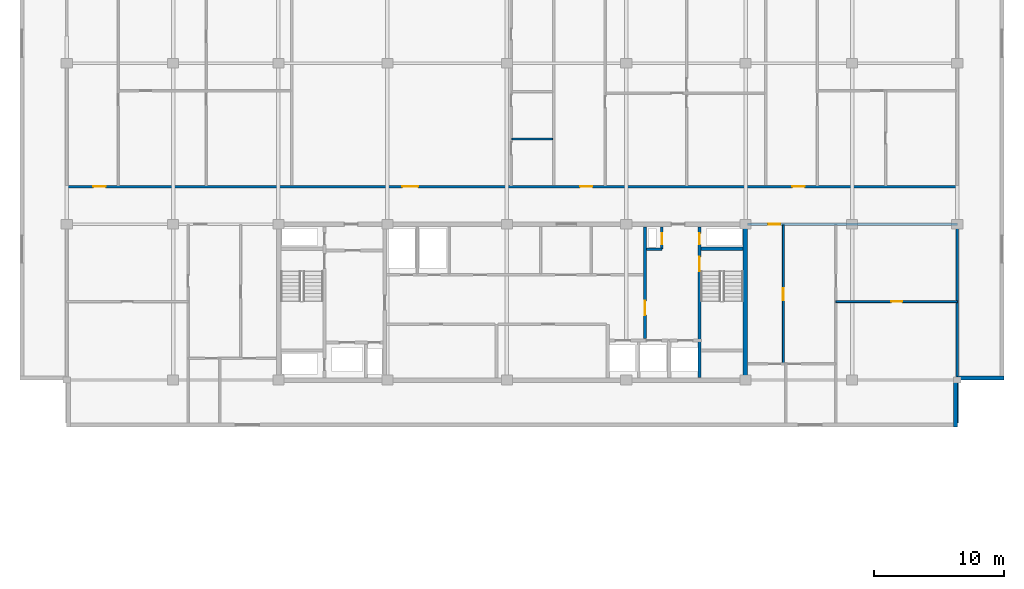
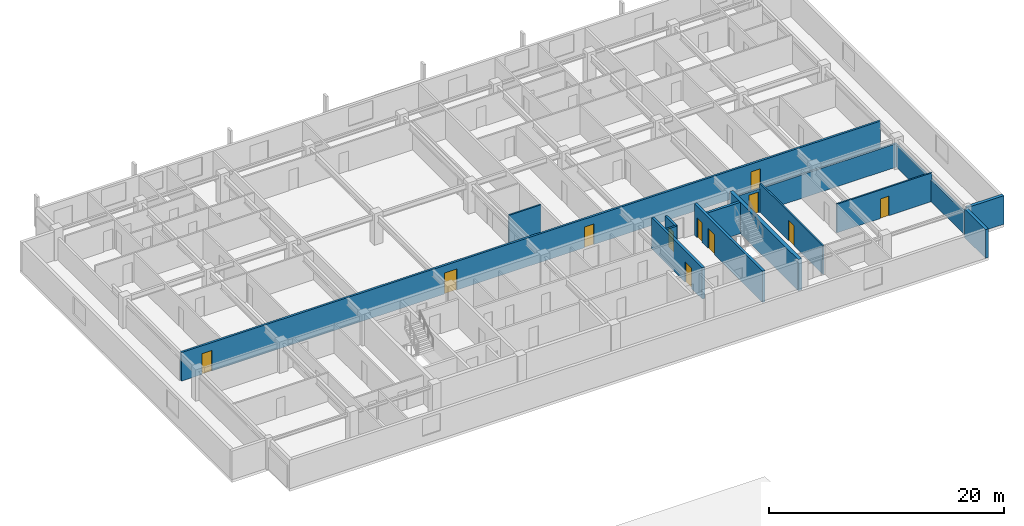
# One storey, part 5 of 11: 14 walls, 11 doors, 11 openings.
"""IFC4 building model written with IfcOpenShell, lengths in metres."""

from ifc_helpers import new_model, si_unit, direction, frame, frame_2d, origin, place, context, subcontext, project, spatial, rectangle, extrude, material, layer, layer_set, type_object, element, fill, save


model = new_model("IFC4")

# Units and contexts
model_context = context("Model", 3, precision=1e-05, world=origin(), true_north=direction((0.0, 1.0)))
body_context = subcontext(model_context, "Body", "Model", "MODEL_VIEW")
ifc_project = project(units=[si_unit("LENGTHUNIT", "METRE"), si_unit("AREAUNIT", "SQUARE_METRE"), si_unit("VOLUMEUNIT", "CUBIC_METRE"), si_unit("PLANEANGLEUNIT", "RADIAN"), si_unit("MASSUNIT", "GRAM", prefix="KILO")], contexts=[model_context])

# Site, building, storey
site_placement = place(None, origin())
site = spatial("IfcSite", under=ifc_project, at=site_placement, CompositionType="ELEMENT")
building_placement = place(site_placement, origin())
building = spatial("IfcBuilding", under=site, at=building_placement, Name="Korimba Cascade Residences", CompositionType="ELEMENT")
storey_placement = place(building_placement, frame((0.0, 0.0, 217.35009765625)))
storey = spatial("IfcBuildingStorey", under=building, at=storey_placement, Name="L63", CompositionType="ELEMENT", Elevation=217.35009765625)

# Walls
ifc_material_1 = material(Name="Precast concrete C40/50", Category="concrete")
ifc_layer_1 = layer(ifc_material_1, 0.300048828125)
ifc_layer_set_1 = layer_set([ifc_layer_1], Name="Precast concrete C40/50")
wall_type_1 = type_object("IfcWallType", Name="EW-STONE-300", PredefinedType="STANDARD", material=ifc_layer_set_1)
wall_1_placement = place(storey_placement, frame((128.25, 51.60009765625, 0.0), z_axis=(0.0, 0.0, 1.0), x_axis=(0.0, 1.0, 0.0)))
element("IfcWall", 1, at=wall_1_placement, inside=storey, type_object=wall_type_1, Name="L63 T1 Perimeter Stone Wall E01", PredefinedType="STANDARD", context=body_context, shape_type="SweptSolid", body=[
    extrude(rectangle(XDim=3.599853515625, YDim=0.300048828125, at=frame_2d((1.7998046875, 0.0))), origin(), (0.0, 0.0, 1.0), 2.969970703125),
])
wall_2_placement = place(storey_placement, frame((128.39990234375, 55.35009765625, 0.0), z_axis=(0.0, 0.0, 1.0), x_axis=(1.0, 0.0, 0.0)))
element("IfcWall", 2, at=wall_2_placement, inside=storey, type_object=wall_type_1, Name="L63 T1 Perimeter Stone Wall E02", PredefinedType="STANDARD", context=body_context, shape_type="SweptSolid", body=[
    extrude(rectangle(XDim=3.60009765625, YDim=0.300048828125, at=frame_2d((1.800048828125, 0.0))), origin(), (0.0, 0.0, 1.0), 2.969970703125),
])
ifc_material_2 = material(Name="Concrete C65/80", Category="concrete")
ifc_layer_2 = layer(ifc_material_2, 0.35009765625)
ifc_layer_set_2 = layer_set([ifc_layer_2], Name="Concrete C65/80")
wall_type_2 = type_object("IfcWallType", Name="WAL-CORE-350", PredefinedType="SHEAR", material=ifc_layer_set_2)
wall_3_placement = place(storey_placement, frame((112.074951171875, 55.375, 0.0), z_axis=(0.0, 0.0, 1.0), x_axis=(0.0, 1.0, 0.0)))
element("IfcWall", 3, at=wall_3_placement, inside=storey, type_object=wall_type_2, Name="L63 Core Shear Wall CW-L63-T1-E", PredefinedType="SHEAR", context=body_context, shape_type="SweptSolid", body=[
    extrude(rectangle(XDim=11.64990234375, YDim=0.35009765625, at=frame_2d((5.824951171875, 0.0))), origin(), (0.0, 0.0, 1.0), 3.25),
])
ifc_layer_3 = layer(ifc_material_1, 0.199951171875)
ifc_layer_set_3 = layer_set([ifc_layer_3], Name="Precast concrete C40/50")
wall_type_3 = type_object("IfcWallType", Name="WAL-IT-200", PredefinedType="PARTITIONING", material=ifc_layer_set_3)
wall_4_placement = place(storey_placement, frame((128.39990234375, 51.89990234375, 0.0), z_axis=(0.0, 0.0, 1.0), x_axis=(0.0, 1.0, 0.0)))
element("IfcWall", 4, at=wall_4_placement, inside=storey, type_object=wall_type_3, Name="L63 Partition Wall WAL-L63-T1-FE-WR", PredefinedType="PARTITIONING", context=body_context, shape_type="SweptSolid", body=[
    extrude(rectangle(XDim=15.300048828125, YDim=0.199951171875, at=frame_2d((7.64990234375, 0.0))), origin(), (0.0, 0.0, 1.0), 2.277099609375),
])

# Wall, opening, door
wall_5_placement = place(storey_placement, frame((112.25, 67.199951171875, 0.0), z_axis=(0.0, 0.0, 1.0), x_axis=(1.0, 0.0, 0.0)))
wall_5 = element("IfcWall", 5, at=wall_5_placement, inside=storey, type_object=wall_type_3, Name="L63 Partition Wall WAL-L63-T1-FE-N", PredefinedType="PARTITIONING", context=body_context, shape_type="SweptSolid", body=[
    extrude(rectangle(XDim=16.14990234375, YDim=0.199951171875, at=frame_2d((8.074951171875, 0.0))), origin(), (0.0, 0.0, 1.0), 2.43310546875),
])
opening_1_placement = place(wall_5_placement, frame((1.580078125, 0.0, 0.0)))
opening_1 = element("IfcOpeningElement", 6, at=opening_1_placement, cuts=wall_5, Name="Opening D-UN1", PredefinedType="OPENING", context=body_context, shape_type="SweptSolid", body=[
    extrude(rectangle(XDim=0.949951171875, YDim=2.14990234375, at=frame_2d((0.47509765625, 1.074951171875))), frame((0.0, 0.10986328125, 0.0), z_axis=(0.0, -1.0, 0.0), x_axis=(1.0, 0.0, 0.0)), (0.0, 0.0, 1.0), 0.219970703125),
])
ifc_material_3 = material(Name="Fire-Rated Hardwood Apartment Entrance Door", Category="wood")
door_type_1 = type_object("IfcDoorType", Name="DR-FD60-950", OperationType="NOTDEFINED", PredefinedType="DOOR", material=ifc_material_3)
door_1_placement = place(opening_1_placement, origin())
door_1 = element("IfcDoor", 7, at=door_1_placement, inside=storey, type_object=door_type_1, Name="L63-T1-FE Entrance Door", OperationType="SINGLE_SWING_LEFT", OverallHeight=2.14990234375, OverallWidth=0.949951171875, PredefinedType="DOOR", context=body_context, shape_type="SweptSolid", body=[
    extrude(rectangle(XDim=0.949951171875, YDim=2.14990234375, at=frame_2d((0.47509765625, 1.074951171875))), frame((0.0, 0.02490234375, 0.0), z_axis=(0.0, -1.0, 0.0), x_axis=(1.0, 0.0, 0.0)), (0.0, 0.0, 1.0), 0.050048828125),
])
fill(opening_1, door_1)

# Wall, openings, doors
wall_6_placement = place(storey_placement, frame((59.800048828125, 70.10009765625, 0.0), z_axis=(0.0, 0.0, 1.0), x_axis=(1.0, 0.0, 0.0)))
wall_6 = element("IfcWall", 8, at=wall_6_placement, inside=storey, type_object=wall_type_3, Name="L63 Partition Wall WAL-L63-T1-CORN", PredefinedType="PARTITIONING", context=body_context, shape_type="SweptSolid", body=[
    extrude(rectangle(XDim=68.599853515625, YDim=0.199951171875, at=frame_2d((34.2998046875, 0.0))), origin(), (0.0, 0.0, 1.0), 2.969970703125),
])
opening_2_placement = place(wall_6_placement, frame((2.044921875, 0.0, 0.0)))
opening_2 = element("IfcOpeningElement", 9, at=opening_2_placement, cuts=wall_6, Name="Opening D-UN1", PredefinedType="OPENING", context=body_context, shape_type="SweptSolid", body=[
    extrude(rectangle(XDim=0.949951171875, YDim=2.14990234375, at=frame_2d((0.47509765625, 1.074951171875))), frame((0.0, 0.10986328125, 0.0), z_axis=(0.0, -1.0, 0.0), x_axis=(1.0, 0.0, 0.0)), (0.0, 0.0, 1.0), 0.219970703125),
])
opening_3_placement = place(wall_6_placement, frame((25.85009765625, 0.0, 0.0)))
opening_3 = element("IfcOpeningElement", 10, at=opening_3_placement, cuts=wall_6, Name="Opening D-AM1", PredefinedType="OPENING", context=body_context, shape_type="SweptSolid", body=[
    extrude(rectangle(XDim=1.219970703125, YDim=2.179931640625, at=frame_2d((0.60986328125, 1.08984375))), frame((0.0, 0.10986328125, 0.0), z_axis=(0.0, -1.0, 0.0), x_axis=(1.0, 0.0, 0.0)), (0.0, 0.0, 1.0), 0.219970703125),
])
opening_4_placement = place(wall_6_placement, frame((39.5498046875, 0.0, 0.0)))
opening_4 = element("IfcOpeningElement", 11, at=opening_4_placement, cuts=wall_6, Name="Opening D-UN1", PredefinedType="OPENING", context=body_context, shape_type="SweptSolid", body=[
    extrude(rectangle(XDim=0.949951171875, YDim=2.14990234375, at=frame_2d((0.47509765625, 1.074951171875))), frame((0.0, 0.10986328125, 0.0), z_axis=(0.0, -1.0, 0.0), x_axis=(1.0, 0.0, 0.0)), (0.0, 0.0, 1.0), 0.219970703125),
])
opening_5_placement = place(wall_6_placement, frame((55.901123046875, 0.0, 0.0)))
opening_5 = element("IfcOpeningElement", 12, at=opening_5_placement, cuts=wall_6, Name="Opening D-UN1", PredefinedType="OPENING", context=body_context, shape_type="SweptSolid", body=[
    extrude(rectangle(XDim=0.949951171875, YDim=2.14990234375, at=frame_2d((0.47509765625, 1.074951171875))), frame((0.0, 0.10986328125, 0.0), z_axis=(0.0, -1.0, 0.0), x_axis=(1.0, 0.0, 0.0)), (0.0, 0.0, 1.0), 0.219970703125),
])
ifc_material_4 = material(Name="Fire-Rated Glazed Timber Suite Door", Category="wood")
door_type_2 = type_object("IfcDoorType", Name="DR-FD60-1200", OperationType="NOTDEFINED", PredefinedType="DOOR", material=ifc_material_4)
door_2_placement = place(opening_3_placement, origin())
door_2 = element("IfcDoor", 13, at=door_2_placement, inside=storey, type_object=door_type_2, Name="L63-T1-U02 Business Collaboration Office Door", OperationType="SINGLE_SWING_LEFT", OverallHeight=2.179931640625, OverallWidth=1.219970703125, PredefinedType="DOOR", context=body_context, shape_type="SweptSolid", body=[
    extrude(rectangle(XDim=1.219970703125, YDim=2.179931640625, at=frame_2d((0.60986328125, 1.08984375))), frame((0.0, 0.02490234375, 0.0), z_axis=(0.0, -1.0, 0.0), x_axis=(1.0, 0.0, 0.0)), (0.0, 0.0, 1.0), 0.050048828125),
])
fill(opening_3, door_2)
door_3_placement = place(opening_2_placement, origin())
door_3 = element("IfcDoor", 14, at=door_3_placement, inside=storey, type_object=door_type_1, Name="Unit L63-T1-U01 Entrance Door", OperationType="SINGLE_SWING_RIGHT", OverallHeight=2.14990234375, OverallWidth=0.949951171875, PredefinedType="DOOR", context=body_context, shape_type="SweptSolid", body=[
    extrude(rectangle(XDim=0.949951171875, YDim=2.14990234375, at=frame_2d((0.47509765625, 1.074951171875))), frame((0.0, 0.02490234375, 0.0), z_axis=(0.0, -1.0, 0.0), x_axis=(1.0, 0.0, 0.0)), (0.0, 0.0, 1.0), 0.050048828125),
])
fill(opening_2, door_3)
door_4_placement = place(opening_4_placement, origin())
door_4 = element("IfcDoor", 15, at=door_4_placement, inside=storey, type_object=door_type_1, Name="Unit L63-T1-U03 Entrance Door", OperationType="SINGLE_SWING_RIGHT", OverallHeight=2.14990234375, OverallWidth=0.949951171875, PredefinedType="DOOR", context=body_context, shape_type="SweptSolid", body=[
    extrude(rectangle(XDim=0.949951171875, YDim=2.14990234375, at=frame_2d((0.47509765625, 1.074951171875))), frame((0.0, 0.02490234375, 0.0), z_axis=(0.0, -1.0, 0.0), x_axis=(1.0, 0.0, 0.0)), (0.0, 0.0, 1.0), 0.050048828125),
])
fill(opening_4, door_4)
door_5_placement = place(opening_5_placement, origin())
door_5 = element("IfcDoor", 16, at=door_5_placement, inside=storey, type_object=door_type_1, Name="Unit L63-T1-U04 Entrance Door", OperationType="SINGLE_SWING_LEFT", OverallHeight=2.14990234375, OverallWidth=0.949951171875, PredefinedType="DOOR", context=body_context, shape_type="SweptSolid", body=[
    extrude(rectangle(XDim=0.949951171875, YDim=2.14990234375, at=frame_2d((0.47509765625, 1.074951171875))), frame((0.0, 0.02490234375, 0.0), z_axis=(0.0, -1.0, 0.0), x_axis=(1.0, 0.0, 0.0)), (0.0, 0.0, 1.0), 0.050048828125),
])
fill(opening_5, door_5)

# Wall, opening, door
ifc_material_5 = material(Name="Insulated Acoustic Stud Partition", Category="gypsum")
ifc_layer_4 = layer(ifc_material_5, 0.14990234375)
ifc_layer_set_4 = layer_set([ifc_layer_4], Name="Insulated Acoustic Stud Partition")
wall_type_4 = type_object("IfcWallType", Name="WAL-PART-150", PredefinedType="PARTITIONING", material=ifc_layer_set_4)
wall_7_placement = place(storey_placement, frame((119.050048828125, 61.25, 0.0), z_axis=(0.0, 0.0, 1.0), x_axis=(1.0, 0.0, 0.0)))
wall_7 = element("IfcWall", 17, at=wall_7_placement, inside=storey, type_object=wall_type_4, Name="L63 Partition Wall WAL-L63-T1-FE-STH", PredefinedType="PARTITIONING", context=body_context, shape_type="SweptSolid", body=[
    extrude(rectangle(XDim=9.349853515625, YDim=0.14990234375, at=frame_2d((4.6748046875, 0.0))), origin(), (0.0, 0.0, 1.0), 2.969970703125),
])
opening_6_placement = place(wall_7_placement, frame((4.2548828125, 0.0, 0.0)))
opening_6 = element("IfcOpeningElement", 18, at=opening_6_placement, cuts=wall_7, Name="Opening D-BT1", PredefinedType="OPENING", context=body_context, shape_type="SweptSolid", body=[
    extrude(rectangle(XDim=0.840087890625, YDim=2.0400390625, at=frame_2d((0.419921875, 1.02001953125))), frame((0.0, 0.0849609375, 0.0), z_axis=(0.0, -1.0, 0.0), x_axis=(1.0, 0.0, 0.0)), (0.0, 0.0, 1.0), 0.169921875),
])
ifc_material_6 = material(Name="Moisture-Resistant Bathroom Timber Door", Category="wood")
door_type_3 = type_object("IfcDoorType", Name="DR-INT-850", OperationType="NOTDEFINED", PredefinedType="DOOR", material=ifc_material_6)
door_6_placement = place(opening_6_placement, origin())
door_6 = element("IfcDoor", 19, at=door_6_placement, inside=storey, type_object=door_type_3, Name="L63-T1-FE Dressing Store Door", OperationType="SINGLE_SWING_RIGHT", OverallHeight=2.0400390625, OverallWidth=0.840087890625, PredefinedType="DOOR", context=body_context, shape_type="SweptSolid", body=[
    extrude(rectangle(XDim=0.840087890625, YDim=2.0400390625, at=frame_2d((0.419921875, 1.02001953125))), frame((0.0, 0.02490234375, 0.0), z_axis=(0.0, -1.0, 0.0), x_axis=(1.0, 0.0, 0.0)), (0.0, 0.0, 1.0), 0.050048828125),
])
fill(opening_6, door_6)

wall_8_placement = place(storey_placement, frame((115.0, 56.449951171875, 0.0), z_axis=(0.0, 0.0, 1.0), x_axis=(0.0, 1.0, 0.0)))
wall_8 = element("IfcWall", 20, at=wall_8_placement, inside=storey, type_object=wall_type_4, Name="L63 Partition Wall WAL-L63-T1-FE-VN", PredefinedType="PARTITIONING", context=body_context, shape_type="SweptSolid", body=[
    extrude(rectangle(XDim=10.699951171875, YDim=0.14990234375, at=frame_2d((5.35009765625, 0.0))), origin(), (0.0, 0.0, 1.0), 2.969970703125),
])
opening_7_placement = place(wall_8_placement, frame((4.889892578125, 0.0, 0.0)))
opening_7 = element("IfcOpeningElement", 21, at=opening_7_placement, cuts=wall_8, Name="Opening D-IN1", PredefinedType="OPENING", context=body_context, shape_type="SweptSolid", body=[
    extrude(rectangle(XDim=0.919921875, YDim=2.080078125, at=frame_2d((0.4599609375, 1.0400390625))), frame((0.0, 0.0849609375, 0.0), z_axis=(0.0, -1.0, 0.0), x_axis=(1.0, 0.0, 0.0)), (0.0, 0.0, 1.0), 0.169921875),
])
ifc_material_7 = material(Name="Acoustic Timber Living Door", Category="wood")
door_type_4 = type_object("IfcDoorType", Name="DR-INT-920", OperationType="NOTDEFINED", PredefinedType="DOOR", material=ifc_material_7)
door_7_placement = place(opening_7_placement, origin())
door_7 = element("IfcDoor", 22, at=door_7_placement, inside=storey, type_object=door_type_4, Name="L63-T1-FE Living Door", OperationType="SINGLE_SWING_RIGHT", OverallHeight=2.080078125, OverallWidth=0.919921875, PredefinedType="DOOR", context=body_context, shape_type="SweptSolid", body=[
    extrude(rectangle(XDim=0.919921875, YDim=2.080078125, at=frame_2d((0.4599609375, 1.0400390625))), frame((0.0, 0.02490234375, 0.0), z_axis=(0.0, -1.0, 0.0), x_axis=(1.0, 0.0, 0.0)), (0.0, 0.0, 1.0), 0.050048828125),
])
fill(opening_7, door_7)

# Walls
wall_9_placement = place(storey_placement, frame((94.0947265625, 73.77001953125, 0.0), z_axis=(0.0, 0.0, 1.0), x_axis=(1.0, 0.0, 0.0)))
element("IfcWall", 23, at=wall_9_placement, inside=storey, type_object=wall_type_4, Name="L63 Partition Wall WAL-L63-T1-U02-WCH", PredefinedType="PARTITIONING", context=body_context, shape_type="SweptSolid", body=[
    extrude(rectangle(XDim=3.130126953125, YDim=0.14990234375, at=frame_2d((1.56494140625, 0.0))), origin(), (0.0, 0.0, 1.0), 2.969970703125),
])
ifc_material_8 = material(Name="Concrete C40/50", Category="concrete")
ifc_layer_5 = layer(ifc_material_8, 0.199951171875)
ifc_layer_set_5 = layer_set([ifc_layer_5], Name="Concrete C40/50")
wall_type_5 = type_object("IfcWallType", Name="WAL-PART-200", PredefinedType="PARTITIONING", material=ifc_layer_set_5)
wall_10_placement = place(storey_placement, frame((104.449951171875, 65.280029296875, 0.0), z_axis=(0.0, 0.0, 1.0), x_axis=(1.0, 0.0, 0.0)))
element("IfcWall", 24, at=wall_10_placement, inside=storey, type_object=wall_type_5, Name="L63 Partition Wall CW-L63-T1-HYDW2S", PredefinedType="PARTITIONING", context=body_context, shape_type="SweptSolid", body=[
    extrude(rectangle(XDim=1.199951171875, YDim=0.199951171875, at=frame_2d((0.60009765625, 0.0))), origin(), (0.0, 0.0, 1.0), 2.969970703125),
])

# Wall, opening, door
wall_11_placement = place(storey_placement, frame((105.64990234375, 65.280029296875, 0.0), z_axis=(0.0, 0.0, 1.0), x_axis=(0.0, 1.0, 0.0)))
wall_11 = element("IfcWall", 25, at=wall_11_placement, inside=storey, type_object=wall_type_5, Name="L63 Partition Wall CW-L63-T1-HYDW2E", PredefinedType="PARTITIONING", context=body_context, shape_type="SweptSolid", body=[
    extrude(rectangle(XDim=1.719970703125, YDim=0.199951171875, at=frame_2d((0.85986328125, 0.0))), origin(), (0.0, 0.0, 1.0), 2.969970703125),
])
opening_8_placement = place(wall_11_placement, frame((0.39990234375, 0.0, 0.0)))
opening_8 = element("IfcOpeningElement", 26, at=opening_8_placement, cuts=wall_11, Name="Opening D-RS1", PredefinedType="OPENING", context=body_context, shape_type="SweptSolid", body=[
    extrude(rectangle(XDim=0.85009765625, YDim=2.050048828125, at=frame_2d((0.425048828125, 1.02490234375))), frame((0.0, 0.10986328125, 0.0), z_axis=(0.0, -1.0, 0.0), x_axis=(1.0, 0.0, 0.0)), (0.0, 0.0, 1.0), 0.219970703125),
])
ifc_material_9 = material(Name="Fire-Rated Steel Riser Access Door", Category="steel")
door_type_5 = type_object("IfcDoorType", Name="DR-FD60-850", OperationType="NOTDEFINED", PredefinedType="DOOR", material=ifc_material_9)
door_8_placement = place(opening_8_placement, origin())
door_8 = element("IfcDoor", 27, at=door_8_placement, inside=storey, type_object=door_type_5, Name="L63 East Hydrant Door", OperationType="SINGLE_SWING_RIGHT", OverallHeight=2.050048828125, OverallWidth=0.85009765625, PredefinedType="DOOR", context=body_context, shape_type="SweptSolid", body=[
    extrude(rectangle(XDim=0.85009765625, YDim=2.050048828125, at=frame_2d((0.425048828125, 1.02490234375))), frame((0.0, 0.02490234375, 0.0), z_axis=(0.0, -1.0, 0.0), x_axis=(1.0, 0.0, 0.0)), (0.0, 0.0, 1.0), 0.050048828125),
])
fill(opening_8, door_8)

ifc_material_10 = material(Name="Concrete C50/60", Category="concrete")
ifc_layer_6 = layer(ifc_material_10, 0.25)
ifc_layer_set_6 = layer_set([ifc_layer_6], Name="Concrete C50/60")
wall_type_6 = type_object("IfcWallType", Name="WAL-SHAFT-250", PredefinedType="SHEAR", material=ifc_layer_set_6)
wall_12_placement = place(storey_placement, frame((104.35009765625, 58.39990234375, 0.0), z_axis=(0.0, 0.0, 1.0), x_axis=(0.0, 1.0, 0.0)))
wall_12 = element("IfcWall", 28, at=wall_12_placement, inside=storey, type_object=wall_type_6, Name="L63 Core Shear Wall CW-L63-T1-LLEV", PredefinedType="SHEAR", context=body_context, shape_type="SweptSolid", body=[
    extrude(rectangle(XDim=8.60009765625, YDim=0.25, at=frame_2d((4.300048828125, 0.0))), origin(), (0.0, 0.0, 1.0), 3.25),
])
opening_9_placement = place(wall_12_placement, frame((1.800048828125, 0.0, 0.0)))
opening_9 = element("IfcOpeningElement", 29, at=opening_9_placement, cuts=wall_12, Name="Opening D-FD1", PredefinedType="OPENING", context=body_context, shape_type="SweptSolid", body=[
    extrude(rectangle(XDim=1.10009765625, YDim=2.10009765625, at=frame_2d((0.550048828125, 1.050048828125))), frame((0.0, 0.135009765625, 0.0), z_axis=(0.0, -1.0, 0.0), x_axis=(1.0, 0.0, 0.0)), (0.0, 0.0, 1.0), 0.27001953125),
])
ifc_material_11 = material(Name="Fire-Rated Steel Core Door", Category="steel")
door_type_6 = type_object("IfcDoorType", Name="DR-FD120-1100", OperationType="NOTDEFINED", PredefinedType="DOOR", material=ifc_material_11)
door_9_placement = place(opening_9_placement, origin())
door_9 = element("IfcDoor", 30, at=door_9_placement, inside=storey, type_object=door_type_6, Name="L63 Lift Lobby to East Firefighting Lobby Door", OperationType="SINGLE_SWING_LEFT", OverallHeight=2.10009765625, OverallWidth=1.10009765625, PredefinedType="DOOR", context=body_context, shape_type="SweptSolid", body=[
    extrude(rectangle(XDim=1.10009765625, YDim=2.10009765625, at=frame_2d((0.550048828125, 1.050048828125))), frame((0.0, 0.02490234375, 0.0), z_axis=(0.0, -1.0, 0.0), x_axis=(1.0, 0.0, 0.0)), (0.0, 0.0, 1.0), 0.050048828125),
])
fill(opening_9, door_9)

# Wall, openings, doors
wall_13_placement = place(storey_placement, frame((108.534912109375, 55.39990234375, 0.0), z_axis=(0.0, 0.0, 1.0), x_axis=(0.0, 1.0, 0.0)))
wall_13 = element("IfcWall", 31, at=wall_13_placement, inside=storey, type_object=wall_type_6, Name="L63 Core Shear Wall CW-L63-T1-STW2W", PredefinedType="SHEAR", context=body_context, shape_type="SweptSolid", body=[
    extrude(rectangle(XDim=11.60009765625, YDim=0.25, at=frame_2d((5.800048828125, 0.0))), origin(), (0.0, 0.0, 1.0), 3.25),
])
opening_10_placement = place(wall_13_placement, frame((8.199951171875, 0.0, 0.0)))
opening_10 = element("IfcOpeningElement", 32, at=opening_10_placement, cuts=wall_13, Name="Opening D-FD1", PredefinedType="OPENING", context=body_context, shape_type="SweptSolid", body=[
    extrude(rectangle(XDim=1.10009765625, YDim=2.10009765625, at=frame_2d((0.550048828125, 1.050048828125))), frame((0.0, 0.135009765625, 0.0), z_axis=(0.0, -1.0, 0.0), x_axis=(1.0, 0.0, 0.0)), (0.0, 0.0, 1.0), 0.27001953125),
])
opening_11_placement = place(wall_13_placement, frame((10.25, 0.0, 0.0)))
opening_11 = element("IfcOpeningElement", 33, at=opening_11_placement, cuts=wall_13, Name="Opening D-RS1", PredefinedType="OPENING", context=body_context, shape_type="SweptSolid", body=[
    extrude(rectangle(XDim=0.85009765625, YDim=2.050048828125, at=frame_2d((0.425048828125, 1.02490234375))), frame((0.0, 0.135009765625, 0.0), z_axis=(0.0, -1.0, 0.0), x_axis=(1.0, 0.0, 0.0)), (0.0, 0.0, 1.0), 0.27001953125),
])
door_10_placement = place(opening_10_placement, origin())
door_10 = element("IfcDoor", 34, at=door_10_placement, inside=storey, type_object=door_type_6, Name="L63 Fire Stair ST-W2 Door", OperationType="SINGLE_SWING_RIGHT", OverallHeight=2.10009765625, OverallWidth=1.10009765625, PredefinedType="DOOR", context=body_context, shape_type="SweptSolid", body=[
    extrude(rectangle(XDim=1.10009765625, YDim=2.10009765625, at=frame_2d((0.550048828125, 1.050048828125))), frame((0.0, 0.02490234375, 0.0), z_axis=(0.0, -1.0, 0.0), x_axis=(1.0, 0.0, 0.0)), (0.0, 0.0, 1.0), 0.050048828125),
])
fill(opening_10, door_10)
door_11_placement = place(opening_11_placement, origin())
door_11 = element("IfcDoor", 35, at=door_11_placement, inside=storey, type_object=door_type_5, Name="L63 East Riser Door", OperationType="SINGLE_SWING_LEFT", OverallHeight=2.050048828125, OverallWidth=0.85009765625, PredefinedType="DOOR", context=body_context, shape_type="SweptSolid", body=[
    extrude(rectangle(XDim=0.85009765625, YDim=2.050048828125, at=frame_2d((0.425048828125, 1.02490234375))), frame((0.0, 0.02490234375, 0.0), z_axis=(0.0, -1.0, 0.0), x_axis=(1.0, 0.0, 0.0)), (0.0, 0.0, 1.0), 0.050048828125),
])
fill(opening_11, door_11)

# Wall
wall_14_placement = place(storey_placement, frame((108.659912109375, 65.324951171875, 0.0), z_axis=(0.0, 0.0, 1.0), x_axis=(1.0, 0.0, 0.0)))
element("IfcWall", 36, at=wall_14_placement, inside=storey, type_object=wall_type_6, Name="L63 Core Shear Wall CW-L63-T1-STW2N", PredefinedType="SHEAR", context=body_context, shape_type="SweptSolid", body=[
    extrude(rectangle(XDim=3.239990234375, YDim=0.25, at=frame_2d((1.6201171875, 0.0))), origin(), (0.0, 0.0, 1.0), 3.25),
])

save(model, "model.ifc")
